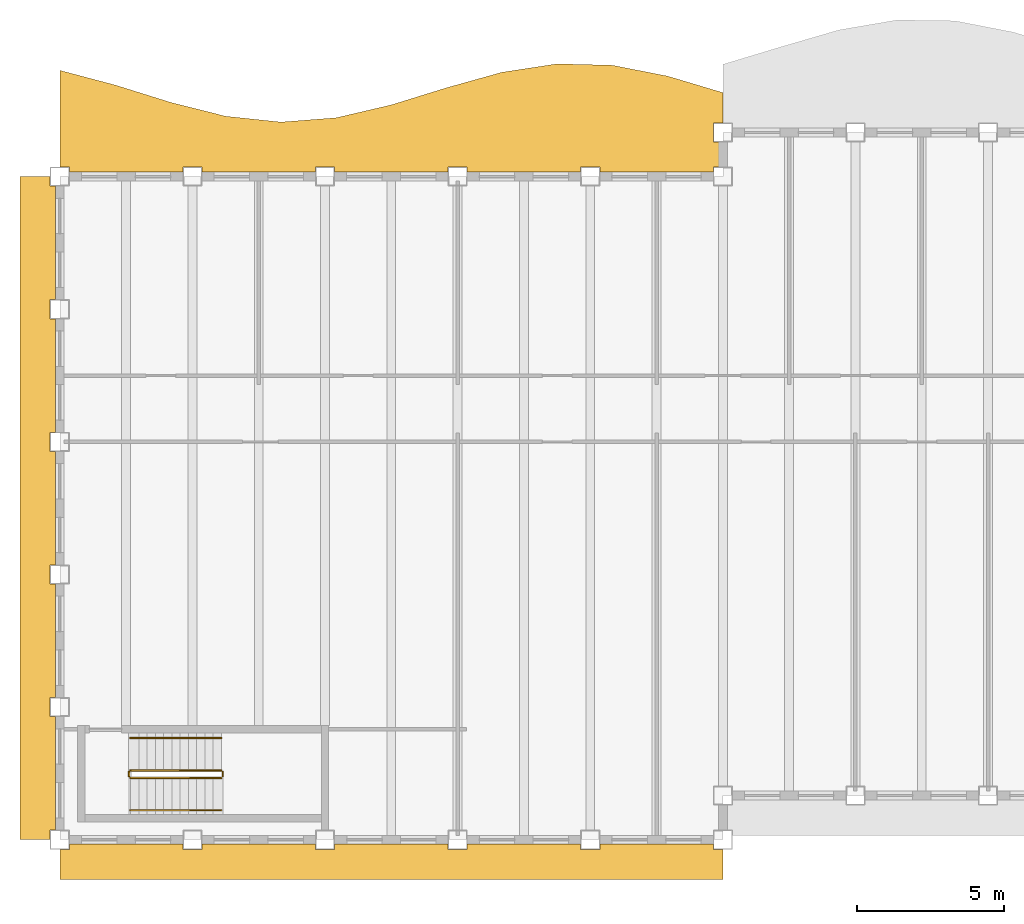
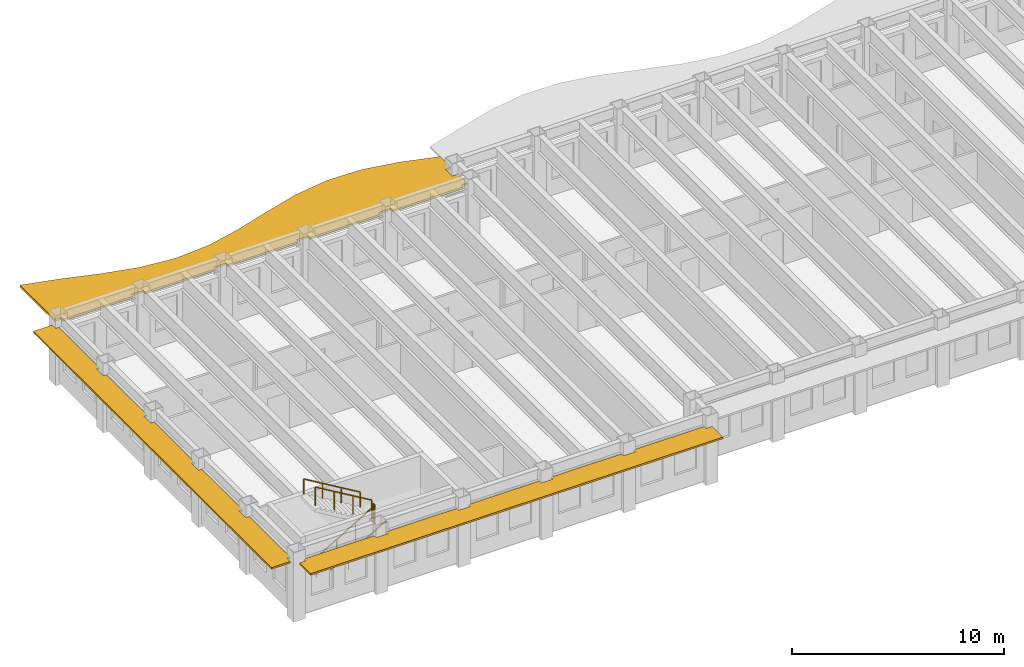
# One storey, part 8 of 12: 6 railings, 3 shading devices.
"""IFC4 building model written with IfcOpenShell, lengths in metres."""

from ifc_helpers import new_model, si_unit, direction, frame, origin, origin_2d, place, context, subcontext, project, spatial, polyline, rectangle, outline, extrude, material, layer, layer_set, type_object, element, save


model = new_model("IFC4")

# Units and contexts
model_context = context("Model", 3, precision=1e-05, world=origin(), true_north=direction((0.0, 1.0)))
body_context = subcontext(model_context, "Body", "Model", "MODEL_VIEW")
ifc_project = project(units=[si_unit("LENGTHUNIT", "METRE"), si_unit("AREAUNIT", "SQUARE_METRE"), si_unit("VOLUMEUNIT", "CUBIC_METRE"), si_unit("PLANEANGLEUNIT", "RADIAN"), si_unit("MASSUNIT", "GRAM", prefix="KILO")], contexts=[model_context])

# Site, building, storey
site_placement = place(None, origin())
site = spatial("IfcSite", under=ifc_project, at=site_placement, CompositionType="ELEMENT")
building_placement = place(site_placement, origin())
building = spatial("IfcBuilding", under=site, at=building_placement, Name="Sennacour Bend Tower", CompositionType="ELEMENT")
storey_placement = place(building_placement, frame((0.0, 0.0, 281.0)))
storey = spatial("IfcBuildingStorey", under=building, at=storey_placement, Name="L65", CompositionType="ELEMENT", Elevation=281.0)

# Railings
ifc_material_1 = material(Name="Stainless steel", Category="steel")
railing_type_1 = type_object("IfcRailingType", Name="RL-GUARD-1100", PredefinedType="GUARDRAIL", material=ifc_material_1)
railing_1_placement = place(storey_placement, frame((2.39990234375, 2.10009765625, 0.166748046875)))
element("IfcRailing", 1, at=railing_1_placement, inside=storey, type_object=railing_type_1, Name="L65 SK1 stair guard 1", PredefinedType="GUARDRAIL", context=body_context, shape_type="SweptSolid", body=[
    extrude(rectangle(XDim=0.048095703125, YDim=0.048095703125, at=origin_2d()), frame((0.0, 0.0, 1.076171875), z_axis=(0.859308565015, 0.0, 0.511457515432), x_axis=(0.0, 1.0, 0.0)), (0.0, 0.0, 1.0), 3.58447265625),
    extrude(rectangle(XDim=0.0419921875, YDim=0.0419921875, at=origin_2d()), origin(), (0.0, 0.0, 1.0), 1.052001953125),
    extrude(rectangle(XDim=0.0419921875, YDim=0.0419921875, at=origin_2d()), frame((1.026611328125, 0.0, 0.611083984375)), (0.0, 0.0, 1.0), 1.052001953125),
    extrude(rectangle(XDim=0.0419921875, YDim=0.0419921875, at=origin_2d()), frame((2.053466796875, 0.0, 1.22216796875)), (0.0, 0.0, 1.0), 1.052001953125),
    extrude(rectangle(XDim=0.0419921875, YDim=0.0419921875, at=origin_2d()), frame((3.080078125, 0.0, 1.833251953125)), (0.0, 0.0, 1.0), 1.052001953125),
])
railing_2_placement = place(storey_placement, frame((5.530029296875, 2.14990234375, 2.0)))
element("IfcRailing", 2, at=railing_2_placement, inside=storey, type_object=railing_type_1, Name="L65 SK1 stair guard 2", PredefinedType="GUARDRAIL", context=body_context, shape_type="SweptSolid", body=[
    extrude(rectangle(XDim=0.048095703125, YDim=0.048095703125, at=origin_2d()), frame((0.0, 0.0, 1.076171875), z_axis=(0.0, 1.0, 0.0), x_axis=(-1.0, 0.0, 0.0)), (0.0, 0.0, 1.0), 0.150146484375),
    extrude(rectangle(XDim=0.0419921875, YDim=0.0419921875, at=origin_2d()), origin(), (0.0, 0.0, 1.0), 1.052001953125),
    extrude(rectangle(XDim=0.0419921875, YDim=0.0419921875, at=origin_2d()), frame((0.0, 0.150146484375, 0.0)), (0.0, 0.0, 1.0), 1.052001953125),
])
railing_3_placement = place(storey_placement, frame((5.47998046875, 2.35009765625, 2.166748046875)))
element("IfcRailing", 3, at=railing_3_placement, inside=storey, type_object=railing_type_1, Name="L65 SK1 stair guard 3", PredefinedType="GUARDRAIL", context=body_context, shape_type="SweptSolid", body=[
    extrude(rectangle(XDim=0.048095703125, YDim=0.048095703125, at=origin_2d()), frame((0.0, 0.0, 1.076171875), z_axis=(-0.859308565015, 0.0, 0.511457515432), x_axis=(0.0, -1.0, 0.0)), (0.0, 0.0, 1.0), 3.58447265625),
    extrude(rectangle(XDim=0.0419921875, YDim=0.0419921875, at=origin_2d()), origin(), (0.0, 0.0, 1.0), 1.052001953125),
    extrude(rectangle(XDim=0.0419921875, YDim=0.0419921875, at=origin_2d()), frame((-1.026611328125, 0.0, 0.611083984375)), (0.0, 0.0, 1.0), 1.052001953125),
    extrude(rectangle(XDim=0.0419921875, YDim=0.0419921875, at=origin_2d()), frame((-2.053466796875, 0.0, 1.22216796875)), (0.0, 0.0, 1.0), 1.052001953125),
    extrude(rectangle(XDim=0.0419921875, YDim=0.0419921875, at=origin_2d()), frame((-3.080078125, 0.0, 1.833251953125)), (0.0, 0.0, 1.0), 1.052001953125),
])
railing_4_placement = place(storey_placement, frame((2.35009765625, 2.14990234375, 0.0)))
element("IfcRailing", 4, at=railing_4_placement, inside=storey, type_object=railing_type_1, Name="L65 SK1 stair guard 4", PredefinedType="GUARDRAIL", context=body_context, shape_type="SweptSolid", body=[
    extrude(rectangle(XDim=0.048095703125, YDim=0.048095703125, at=origin_2d()), frame((0.0, 0.0, 1.076171875), z_axis=(0.0, 1.0, 0.0), x_axis=(-1.0, 0.0, 0.0)), (0.0, 0.0, 1.0), 0.150146484375),
    extrude(rectangle(XDim=0.0419921875, YDim=0.0419921875, at=origin_2d()), origin(), (0.0, 0.0, 1.0), 1.052001953125),
    extrude(rectangle(XDim=0.0419921875, YDim=0.0419921875, at=origin_2d()), frame((0.0, 0.150146484375, 0.0)), (0.0, 0.0, 1.0), 1.052001953125),
])
railing_type_2 = type_object("IfcRailingType", Name="RL-HANDRAIL-900", PredefinedType="HANDRAIL", material=ifc_material_1)
railing_5_placement = place(storey_placement, frame((2.39990234375, 1.0, 0.166748046875)))
element("IfcRailing", 5, at=railing_5_placement, inside=storey, type_object=railing_type_2, Name="L65 SK1 stair handrail 1", PredefinedType="HANDRAIL", context=body_context, shape_type="SweptSolid", body=[
    extrude(rectangle(XDim=0.048095703125, YDim=0.048095703125, at=origin_2d()), frame((0.0, 0.0, 0.8759765625), z_axis=(0.859308565015, 0.0, 0.511457515432), x_axis=(0.0, 1.0, 0.0)), (0.0, 0.0, 1.0), 3.58447265625),
    extrude(rectangle(XDim=0.0419921875, YDim=0.0419921875, at=origin_2d()), origin(), (0.0, 0.0, 1.0), 0.851806640625),
    extrude(rectangle(XDim=0.0419921875, YDim=0.0419921875, at=origin_2d()), frame((1.026611328125, 0.0, 0.611083984375)), (0.0, 0.0, 1.0), 0.851806640625),
    extrude(rectangle(XDim=0.0419921875, YDim=0.0419921875, at=origin_2d()), frame((2.053466796875, 0.0, 1.22216796875)), (0.0, 0.0, 1.0), 0.851806640625),
    extrude(rectangle(XDim=0.0419921875, YDim=0.0419921875, at=origin_2d()), frame((3.080078125, 0.0, 1.833251953125)), (0.0, 0.0, 1.0), 0.851806640625),
])
railing_6_placement = place(storey_placement, frame((5.47998046875, 3.449951171875, 2.166748046875)))
element("IfcRailing", 6, at=railing_6_placement, inside=storey, type_object=railing_type_2, Name="L65 SK1 stair handrail 2", PredefinedType="HANDRAIL", context=body_context, shape_type="SweptSolid", body=[
    extrude(rectangle(XDim=0.048095703125, YDim=0.048095703125, at=origin_2d()), frame((0.0, 0.0, 0.8759765625), z_axis=(-0.859308565015, 0.0, 0.511457515432), x_axis=(0.0, -1.0, 0.0)), (0.0, 0.0, 1.0), 3.58447265625),
    extrude(rectangle(XDim=0.0419921875, YDim=0.0419921875, at=origin_2d()), origin(), (0.0, 0.0, 1.0), 0.851806640625),
    extrude(rectangle(XDim=0.0419921875, YDim=0.0419921875, at=origin_2d()), frame((-1.026611328125, 0.0, 0.611083984375)), (0.0, 0.0, 1.0), 0.851806640625),
    extrude(rectangle(XDim=0.0419921875, YDim=0.0419921875, at=origin_2d()), frame((-2.053466796875, 0.0, 1.22216796875)), (0.0, 0.0, 1.0), 0.851806640625),
    extrude(rectangle(XDim=0.0419921875, YDim=0.0419921875, at=origin_2d()), frame((-3.080078125, 0.0, 1.833251953125)), (0.0, 0.0, 1.0), 0.851806640625),
])

# Shading devices
ifc_material_2 = material(Name="Bronze anodised aluminium", Category="aluminium")
ifc_layer_1 = layer(ifc_material_2, 0.10009765625, Name="Bronze anodised aluminium", Category="aluminium")
ifc_layer_set_1 = layer_set([ifc_layer_1], Name="Bronze anodised aluminium")
shading_device_type_1 = type_object("IfcShadingDeviceType", Name="SUNSHADE BAND STRAIGHT", PredefinedType="USERDEFINED", material=ifc_layer_set_1)
shading_device_1_placement = place(storey_placement, frame((0.0, 0.0, 3.06201171875)))
element("IfcShadingDevice", 7, at=shading_device_1_placement, inside=storey, type_object=shading_device_type_1, Name="Sunshade band L65 K outer face", ObjectType="SUNSHADE", PredefinedType="USERDEFINED", context=body_context, shape_type="SweptSolid", body=[
    extrude(outline(polyline([(-0.14990234375, 18.324951171875), (-0.324951171875, 18.324951171875), (-0.324951171875, 17.675048828125), (-0.14990234375, 17.675048828125), (-0.14990234375, 13.824951171875), (-0.324951171875, 13.824951171875), (-0.324951171875, 13.175048828125), (-0.14990234375, 13.175048828125), (-0.14990234375, 9.324951171875), (-0.324951171875, 9.324951171875), (-0.324951171875, 8.675048828125), (-0.14990234375, 8.675048828125), (-0.14990234375, 4.824951171875), (-0.324951171875, 4.824951171875), (-0.324951171875, 4.175048828125), (-0.14990234375, 4.175048828125), (-0.14990234375, 0.324951171875), (-0.324951171875, 0.324951171875), (-0.324951171875, 0.0), (-1.35009765625, 0.0), (-1.35009765625, 22.5), (-0.324951171875, 22.5), (-0.324951171875, 22.175048828125), (-0.14990234375, 22.175048828125), (-0.14990234375, 18.324951171875)])), origin(), (0.0, 0.0, 1.0), 0.10009765625),
])
shading_device_2_placement = place(storey_placement, frame((0.0, 0.0, 3.06201171875)))
element("IfcShadingDevice", 8, at=shading_device_2_placement, inside=storey, type_object=shading_device_type_1, Name="Sunshade band L65 K outer face", ObjectType="SUNSHADE", PredefinedType="USERDEFINED", context=body_context, shape_type="SweptSolid", body=[
    extrude(outline(polyline([(4.175048828125, -0.14990234375), (4.175048828125, -0.324951171875), (4.824951171875, -0.324951171875), (4.824951171875, -0.14990234375), (8.675048828125, -0.14990234375), (8.675048828125, -0.324951171875), (9.324951171875, -0.324951171875), (9.324951171875, -0.14990234375), (13.175048828125, -0.14990234375), (13.175048828125, -0.324951171875), (13.824951171875, -0.324951171875), (13.824951171875, -0.14990234375), (17.675048828125, -0.14990234375), (17.675048828125, -0.324951171875), (18.324951171875, -0.324951171875), (18.324951171875, -0.14990234375), (22.175048828125, -0.14990234375), (22.175048828125, -0.324951171875), (22.5, -0.324951171875), (22.5, -1.35009765625), (0.0, -1.35009765625), (0.0, -0.324951171875), (0.324951171875, -0.324951171875), (0.324951171875, -0.14990234375), (4.175048828125, -0.14990234375)])), origin(), (0.0, 0.0, 1.0), 0.10009765625),
])
ifc_layer_2 = layer(ifc_material_2, 0.1201171875, Name="Bronze anodised aluminium", Category="aluminium")
ifc_layer_set_2 = layer_set([ifc_layer_2], Name="Bronze anodised aluminium")
shading_device_type_2 = type_object("IfcShadingDeviceType", Name="SUNSHADE BAND WAVE", PredefinedType="USERDEFINED", material=ifc_layer_set_2)
shading_device_3_placement = place(storey_placement, frame((0.0, 0.0, 3.0419921875)))
element("IfcShadingDevice", 9, at=shading_device_3_placement, inside=storey, type_object=shading_device_type_2, Name="Sunshade band L65 concave faces", ObjectType="SUNSHADE", PredefinedType="USERDEFINED", context=body_context, shape_type="SweptSolid", body=[
    extrude(outline(polyline([(22.175048828125, 22.64990234375), (18.324951171875, 22.64990234375), (18.324951171875, 22.824951171875), (17.675048828125, 22.824951171875), (17.675048828125, 22.64990234375), (13.824951171875, 22.64990234375), (13.824951171875, 22.824951171875), (13.175048828125, 22.824951171875), (13.175048828125, 22.64990234375), (9.324951171875, 22.64990234375), (9.324951171875, 22.824951171875), (8.675048828125, 22.824951171875), (8.675048828125, 22.64990234375), (4.824951171875, 22.64990234375), (4.824951171875, 22.824951171875), (4.175048828125, 22.824951171875), (4.175048828125, 22.64990234375), (0.324951171875, 22.64990234375), (0.324951171875, 22.824951171875), (0.0, 22.824951171875), (0.0, 26.105712890625), (1.875, 25.60888671875), (3.75, 25.02294921875), (5.625, 24.549560546875), (7.5, 24.35107421875), (9.375, 24.49609375), (11.25, 24.9345703125), (13.125, 25.515869140625), (15.0, 26.0400390625), (16.875, 26.3271484375), (18.75, 26.2783203125), (20.625, 25.910400390625), (22.5, 25.35009765625), (22.5, 24.324951171875), (22.175048828125, 24.324951171875), (22.175048828125, 23.675048828125), (22.5, 23.675048828125), (22.5, 22.824951171875), (22.175048828125, 22.824951171875), (22.175048828125, 22.64990234375)])), origin(), (0.0, 0.0, 1.0), 0.1201171875),
])

save(model, "model.ifc")
